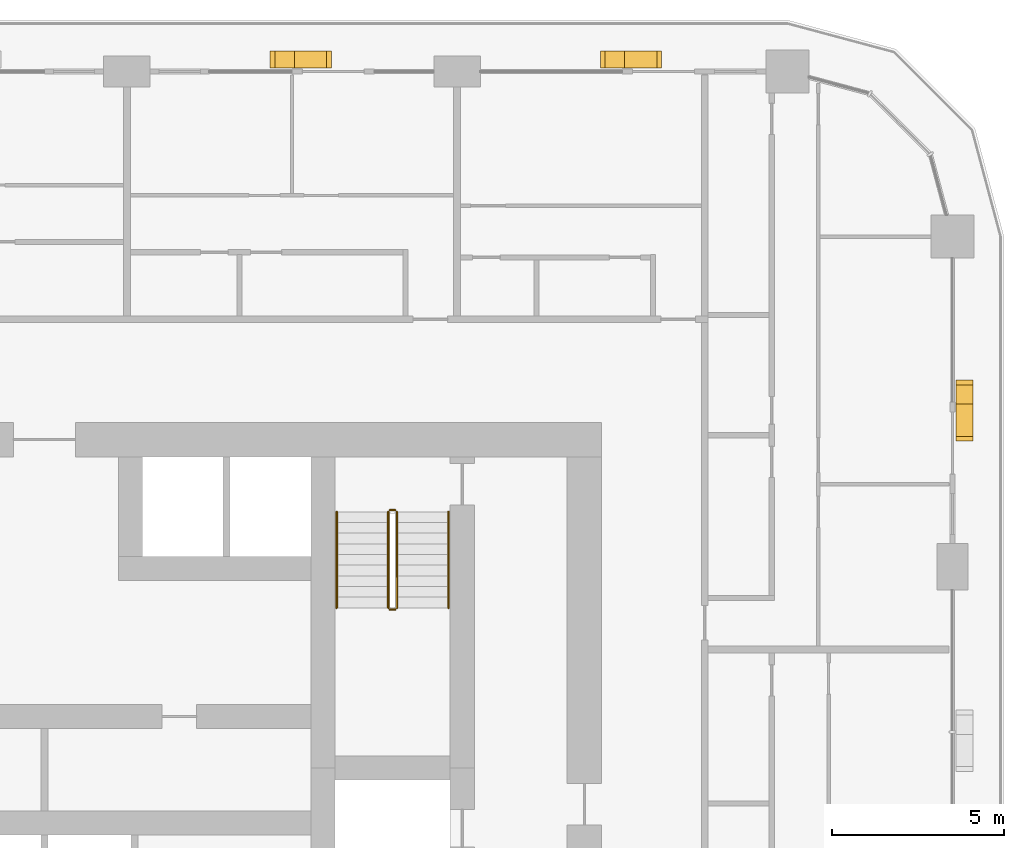
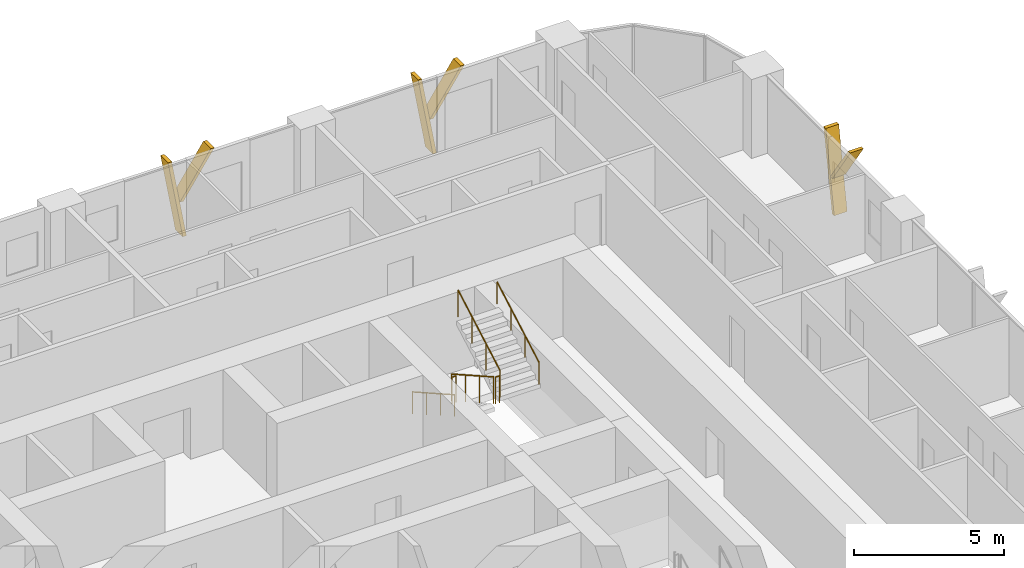
# One storey, part 21 of 21: 6 railings, 6 shading devices.
"""IFC4 building model written with IfcOpenShell, lengths in metres."""

from ifc_helpers import new_model, si_unit, direction, frame, origin, origin_2d, place, context, subcontext, project, spatial, polyline, circle, outline, extrude, material, type_object, element, save


model = new_model("IFC4")

# Units and contexts
model_context = context("Model", 3, precision=1e-05, world=origin(), true_north=direction((0.0, 1.0)))
body_context = subcontext(model_context, "Body", "Model", "MODEL_VIEW")
ifc_project = project(units=[si_unit("LENGTHUNIT", "METRE"), si_unit("AREAUNIT", "SQUARE_METRE"), si_unit("VOLUMEUNIT", "CUBIC_METRE"), si_unit("PLANEANGLEUNIT", "RADIAN"), si_unit("MASSUNIT", "GRAM", prefix="KILO")], contexts=[model_context])

# Site, building, storey
site_placement = place(None, origin())
site = spatial("IfcSite", under=ifc_project, at=site_placement, CompositionType="ELEMENT")
building_placement = place(site_placement, origin())
building = spatial("IfcBuilding", under=site, at=building_placement, Name="Madar Terraces", CompositionType="ELEMENT")
storey_placement = place(building_placement, frame((0.0, 0.0, 29.39990234375)))
storey = spatial("IfcBuildingStorey", under=building, at=storey_placement, Name="L06", CompositionType="ELEMENT", Elevation=29.39990234375)

# Shading devices
ifc_material_1 = material(Name="Aluminium, black anodised", Category="aluminium")
shading_device_type = type_object("IfcShadingDeviceType", Name="Facade fin blade 140 x 500", PredefinedType="USERDEFINED", material=ifc_material_1)
shading_device_1_placement = place(storey_placement, frame((57.949951171875, 38.330078125, 0.0), z_axis=(0.0, 0.0, 1.0), x_axis=(0.0, 1.0, 0.0)))
element("IfcShadingDevice", 1, at=shading_device_1_placement, inside=storey, type_object=shading_device_type, Name="FIN L06 E4", ObjectType="FIN", PredefinedType="USERDEFINED", context=body_context, shape_type="SweptSolid", body=[
    extrude(outline(polyline([(0.0, 0.0), (0.139892578125, 0.0), (0.704345703125, 3.2001953125), (0.564208984375, 3.2001953125), (0.0, 0.0)])), frame((0.0, 0.25, 0.0), z_axis=(0.0, -1.0, 0.0), x_axis=(1.0, 0.0, 0.0)), (0.0, 0.0, 1.0), 0.5),
])
shading_device_2_placement = place(storey_placement, frame((57.949951171875, 38.44384765625, 1.440185546875), z_axis=(0.0, 0.0, 1.0), x_axis=(0.0, 1.0, 0.0)))
element("IfcShadingDevice", 2, at=shading_device_2_placement, inside=storey, type_object=shading_device_type, Name="FIN L06 E4 branch", ObjectType="FIN", PredefinedType="USERDEFINED", context=body_context, shape_type="SweptSolid", body=[
    extrude(outline(polyline([(0.0, 0.0), (0.14013671875, 0.0), (-1.049560546875, 1.760009765625), (-1.189697265625, 1.760009765625), (0.0, 0.0)])), frame((0.0, 0.25, 0.0), z_axis=(0.0, -1.0, 0.0), x_axis=(1.0, 0.0, 0.0)), (0.0, 0.0, 1.0), 0.5),
])
shading_device_3_placement = place(storey_placement, frame((48.070068359375, 48.35009765625, 0.0), z_axis=(0.0, 0.0, 1.0), x_axis=(-1.0, 0.0, 0.0)))
element("IfcShadingDevice", 3, at=shading_device_3_placement, inside=storey, type_object=shading_device_type, Name="FIN L06 N1", ObjectType="FIN", PredefinedType="USERDEFINED", context=body_context, shape_type="SweptSolid", body=[
    extrude(outline(polyline([(0.0, 0.0), (0.14013671875, 0.0), (0.704345703125, 3.2001953125), (0.564208984375, 3.2001953125), (0.0, 0.0)])), frame((0.0, 0.25, 0.0), z_axis=(0.0, -1.0, 0.0), x_axis=(1.0, 0.0, 0.0)), (0.0, 0.0, 1.0), 0.5),
])
shading_device_4_placement = place(storey_placement, frame((47.9560546875, 48.35009765625, 1.440185546875), z_axis=(0.0, 0.0, 1.0), x_axis=(-1.0, 0.0, 0.0)))
element("IfcShadingDevice", 4, at=shading_device_4_placement, inside=storey, type_object=shading_device_type, Name="FIN L06 N1 branch", ObjectType="FIN", PredefinedType="USERDEFINED", context=body_context, shape_type="SweptSolid", body=[
    extrude(outline(polyline([(0.0, 0.0), (0.139892578125, 0.0), (-1.049560546875, 1.760009765625), (-1.189697265625, 1.760009765625), (0.0, 0.0)])), frame((0.0, 0.25, 0.0), z_axis=(0.0, -1.0, 0.0), x_axis=(1.0, 0.0, 0.0)), (0.0, 0.0, 1.0), 0.5),
])
shading_device_5_placement = place(storey_placement, frame((38.469970703125, 48.35009765625, 0.0), z_axis=(0.0, 0.0, 1.0), x_axis=(-1.0, 0.0, 0.0)))
element("IfcShadingDevice", 5, at=shading_device_5_placement, inside=storey, type_object=shading_device_type, Name="FIN L06 N2", ObjectType="FIN", PredefinedType="USERDEFINED", context=body_context, shape_type="SweptSolid", body=[
    extrude(outline(polyline([(0.0, 0.0), (0.139892578125, 0.0), (0.704345703125, 3.2001953125), (0.564208984375, 3.2001953125), (0.0, 0.0)])), frame((0.0, 0.25, 0.0), z_axis=(0.0, -1.0, 0.0), x_axis=(1.0, 0.0, 0.0)), (0.0, 0.0, 1.0), 0.5),
])
shading_device_6_placement = place(storey_placement, frame((38.356201171875, 48.35009765625, 1.440185546875), z_axis=(0.0, 0.0, 1.0), x_axis=(-1.0, 0.0, 0.0)))
element("IfcShadingDevice", 6, at=shading_device_6_placement, inside=storey, type_object=shading_device_type, Name="FIN L06 N2 branch", ObjectType="FIN", PredefinedType="USERDEFINED", context=body_context, shape_type="SweptSolid", body=[
    extrude(outline(polyline([(0.0, 0.0), (0.14013671875, 0.0), (-1.049560546875, 1.760009765625), (-1.189697265625, 1.760009765625), (0.0, 0.0)])), frame((0.0, 0.25, 0.0), z_axis=(0.0, -1.0, 0.0), x_axis=(1.0, 0.0, 0.0)), (0.0, 0.0, 1.0), 0.5),
])

# Railings
ifc_material_2 = material(Name="Stainless steel railing", Category="steel")
railing_type_1 = type_object("IfcRailingType", Name="Stair guard 1100", PredefinedType="GUARDRAIL", material=ifc_material_2)
railing_1_placement = place(storey_placement, frame((41.199951171875, 35.199951171875, 0.175048828125)))
element("IfcRailing", 7, at=railing_1_placement, inside=storey, type_object=railing_type_1, Name="L06 ST2 stair guard 1", PredefinedType="GUARDRAIL", context=body_context, shape_type="SweptSolid", body=[
    extrude(circle(Radius=0.02392578125, at=origin_2d()), frame((0.0, 0.0, 1.076171875), z_axis=(0.0, -0.870833779661, 0.491577591232), x_axis=(1.0, 0.0, 0.0)), (0.0, 0.0, 1.0), 3.203857421875),
    extrude(circle(Radius=0.02099609375, at=origin_2d()), origin(), (0.0, 0.0, 1.0), 1.052001953125),
    extrude(circle(Radius=0.02099609375, at=origin_2d()), frame((0.0, -0.929931640625, 0.52490234375)), (0.0, 0.0, 1.0), 1.052001953125),
    extrude(circle(Radius=0.02099609375, at=origin_2d()), frame((0.0, -1.860107421875, 1.050048828125)), (0.0, 0.0, 1.0), 1.052001953125),
    extrude(circle(Radius=0.02099609375, at=origin_2d()), frame((0.0, -2.7900390625, 1.574951171875)), (0.0, 0.0, 1.0), 1.052001953125),
])
railing_2_placement = place(storey_placement, frame((41.25, 32.360107421875, 1.75)))
element("IfcRailing", 8, at=railing_2_placement, inside=storey, type_object=railing_type_1, Name="L06 ST2 stair guard 2", PredefinedType="GUARDRAIL", context=body_context, shape_type="SweptSolid", body=[
    extrude(circle(Radius=0.02392578125, at=origin_2d()), frame((0.0, 0.0, 1.076171875), z_axis=(1.0, 0.0, 0.0), x_axis=(0.0, 1.0, 0.0)), (0.0, 0.0, 1.0), 0.14990234375),
    extrude(circle(Radius=0.02099609375, at=origin_2d()), origin(), (0.0, 0.0, 1.0), 1.052001953125),
    extrude(circle(Radius=0.02099609375, at=origin_2d()), frame((0.14990234375, 0.0, 0.0)), (0.0, 0.0, 1.0), 1.052001953125),
])
railing_3_placement = place(storey_placement, frame((41.449951171875, 32.409912109375, 1.925048828125)))
element("IfcRailing", 9, at=railing_3_placement, inside=storey, type_object=railing_type_1, Name="L06 ST2 stair guard 3", PredefinedType="GUARDRAIL", context=body_context, shape_type="SweptSolid", body=[
    extrude(circle(Radius=0.02392578125, at=origin_2d()), frame((0.0, 0.0, 1.076171875), z_axis=(0.0, 0.870833779661, 0.491577591232), x_axis=(-1.0, 0.0, 0.0)), (0.0, 0.0, 1.0), 3.203857421875),
    extrude(circle(Radius=0.02099609375, at=origin_2d()), origin(), (0.0, 0.0, 1.0), 1.052001953125),
    extrude(circle(Radius=0.02099609375, at=origin_2d()), frame((0.0, 0.929931640625, 0.52490234375)), (0.0, 0.0, 1.0), 1.052001953125),
    extrude(circle(Radius=0.02099609375, at=origin_2d()), frame((0.0, 1.860107421875, 1.050048828125)), (0.0, 0.0, 1.0), 1.052001953125),
    extrude(circle(Radius=0.02099609375, at=origin_2d()), frame((0.0, 2.7900390625, 1.574951171875)), (0.0, 0.0, 1.0), 1.052001953125),
])
railing_4_placement = place(storey_placement, frame((41.25, 35.25, 0.0)))
element("IfcRailing", 10, at=railing_4_placement, inside=storey, type_object=railing_type_1, Name="L06 ST2 stair guard 4", PredefinedType="GUARDRAIL", context=body_context, shape_type="SweptSolid", body=[
    extrude(circle(Radius=0.02392578125, at=origin_2d()), frame((0.0, 0.0, 1.076171875), z_axis=(1.0, 0.0, 0.0), x_axis=(0.0, 1.0, 0.0)), (0.0, 0.0, 1.0), 0.14990234375),
    extrude(circle(Radius=0.02099609375, at=origin_2d()), origin(), (0.0, 0.0, 1.0), 1.052001953125),
    extrude(circle(Radius=0.02099609375, at=origin_2d()), frame((0.14990234375, 0.0, 0.0)), (0.0, 0.0, 1.0), 1.052001953125),
])
ifc_material_3 = material(Name="Stainless steel railing", Category="steel")
railing_type_2 = type_object("IfcRailingType", Name="Stair handrail 900", PredefinedType="HANDRAIL", material=ifc_material_3)
railing_5_placement = place(storey_placement, frame((39.699951171875, 35.199951171875, 0.175048828125)))
element("IfcRailing", 11, at=railing_5_placement, inside=storey, type_object=railing_type_2, Name="L06 ST2 stair handrail 1", PredefinedType="HANDRAIL", context=body_context, shape_type="SweptSolid", body=[
    extrude(circle(Radius=0.02392578125, at=origin_2d()), frame((0.0, 0.0, 0.8759765625), z_axis=(0.0, -0.870833779661, 0.491577591232), x_axis=(1.0, 0.0, 0.0)), (0.0, 0.0, 1.0), 3.203857421875),
    extrude(circle(Radius=0.02099609375, at=origin_2d()), origin(), (0.0, 0.0, 1.0), 0.851806640625),
    extrude(circle(Radius=0.02099609375, at=origin_2d()), frame((0.0, -0.929931640625, 0.52490234375)), (0.0, 0.0, 1.0), 0.851806640625),
    extrude(circle(Radius=0.02099609375, at=origin_2d()), frame((0.0, -1.860107421875, 1.050048828125)), (0.0, 0.0, 1.0), 0.851806640625),
    extrude(circle(Radius=0.02099609375, at=origin_2d()), frame((0.0, -2.7900390625, 1.574951171875)), (0.0, 0.0, 1.0), 0.851806640625),
])
railing_6_placement = place(storey_placement, frame((42.949951171875, 32.409912109375, 1.925048828125)))
element("IfcRailing", 12, at=railing_6_placement, inside=storey, type_object=railing_type_2, Name="L06 ST2 stair handrail 2", PredefinedType="HANDRAIL", context=body_context, shape_type="SweptSolid", body=[
    extrude(circle(Radius=0.02392578125, at=origin_2d()), frame((0.0, 0.0, 0.8759765625), z_axis=(0.0, 0.870833779661, 0.491577591232), x_axis=(-1.0, 0.0, 0.0)), (0.0, 0.0, 1.0), 3.203857421875),
    extrude(circle(Radius=0.02099609375, at=origin_2d()), origin(), (0.0, 0.0, 1.0), 0.851806640625),
    extrude(circle(Radius=0.02099609375, at=origin_2d()), frame((0.0, 0.929931640625, 0.52490234375)), (0.0, 0.0, 1.0), 0.851806640625),
    extrude(circle(Radius=0.02099609375, at=origin_2d()), frame((0.0, 1.860107421875, 1.050048828125)), (0.0, 0.0, 1.0), 0.851806640625),
    extrude(circle(Radius=0.02099609375, at=origin_2d()), frame((0.0, 2.7900390625, 1.574951171875)), (0.0, 0.0, 1.0), 0.851806640625),
])

save(model, "model.ifc")
